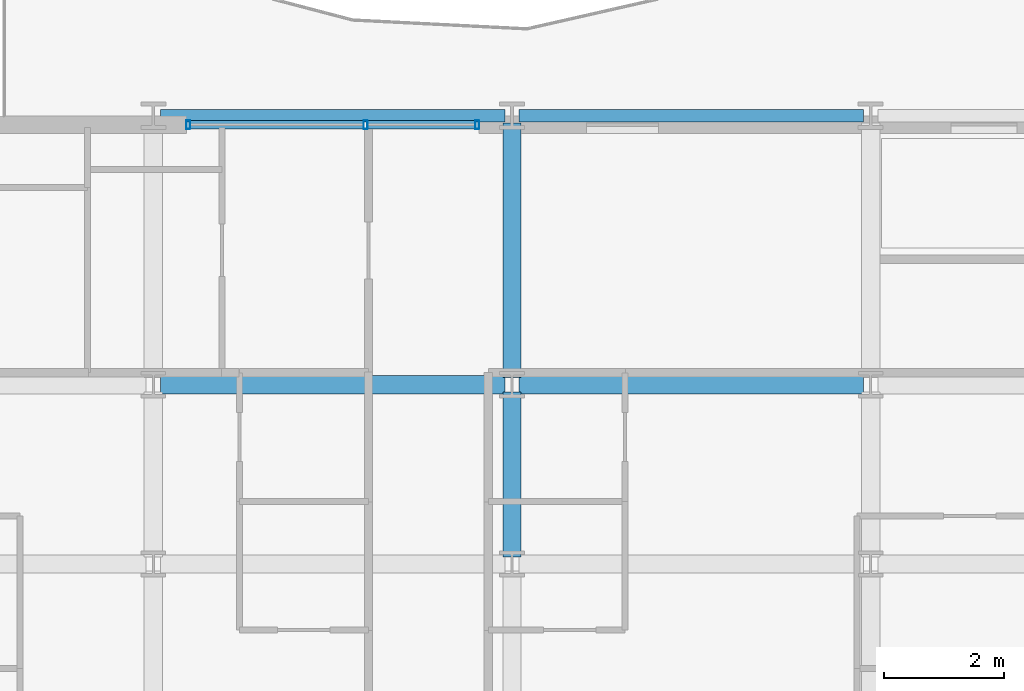
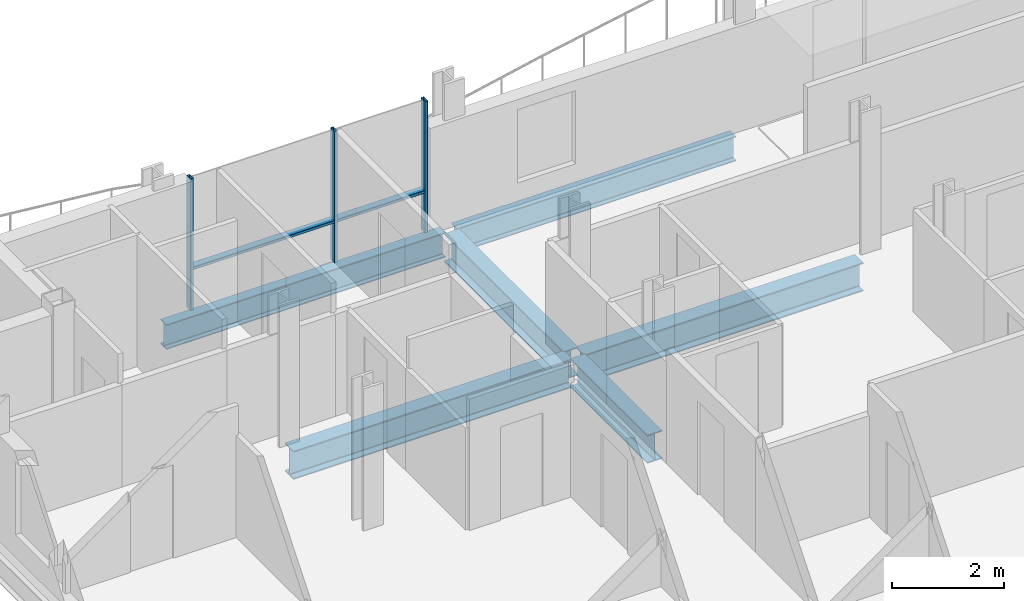
# One storey, part 7 of 39: 6 beams, 5 members, 1 element without a shape of its own.
"""IFC4 building model written with IfcOpenShell, lengths in metres."""

from ifc_helpers import new_model, si_unit, direction, frame, origin, origin_2d, place, context, subcontext, project, spatial, hollow_rectangle, i_section, extrude, material, layer, layer_set, material_profile, profile_set, type_object, element, aggregate, save


model = new_model("IFC4")

# Units and contexts
model_context = context("Model", 3, precision=1e-05, world=origin(), true_north=direction((0.0, 1.0)))
body_context = subcontext(model_context, "Body", "Model", "MODEL_VIEW")
ifc_project = project(units=[si_unit("LENGTHUNIT", "METRE"), si_unit("AREAUNIT", "SQUARE_METRE"), si_unit("VOLUMEUNIT", "CUBIC_METRE"), si_unit("PLANEANGLEUNIT", "RADIAN"), si_unit("MASSUNIT", "GRAM", prefix="KILO")], contexts=[model_context])

# Site, building, storey
site_placement = place(None, origin())
site = spatial("IfcSite", under=ifc_project, at=site_placement, CompositionType="ELEMENT")
building_placement = place(site_placement, origin())
building = spatial("IfcBuilding", under=site, at=building_placement, Name="Brevholm Reach", CompositionType="ELEMENT")
storey_placement = place(building_placement, frame((0.0, 0.0, 77.60009765625)))
storey = spatial("IfcBuildingStorey", under=building, at=storey_placement, Name="L22", CompositionType="ELEMENT", Elevation=77.60009765625)

# Beams
ifc_material_1 = material(Name="Structural Steel S355J2", Category="steel")
ifc_material_profile_1 = material_profile(ifc_material_1, i_section(OverallWidth=0.210693359375, OverallDepth=0.53955078125, WebThickness=0.01171875, FlangeThickness=0.018798828125, FilletRadius=0.0126953125, at=origin_2d()), Name="UKB 533x210x109")
ifc_profile_set_1 = profile_set([ifc_material_profile_1], Name="Structural Steel S355J2")
beam_type_1 = type_object("IfcBeamType", Name="BM-SP539", PredefinedType="SPANDREL", material=ifc_profile_set_1)
for number, where, z_axis, x_axis, name in (
    (1, (6.1201171875, 31.0, -0.499755859375), (1.0, 0.0, 0.0), (0.0, 1.0, 0.0), "L22 SP-01B Framing Beam"),
    (2, (12.1201171875, 31.0, -0.499755859375), (1.0, 0.0, 0.0), (0.0, 1.0, 0.0), "L22 SP-01B Framing Beam"),
):
    element("IfcBeam", number, at=place(storey_placement, frame(where, z_axis=z_axis, x_axis=x_axis)), inside=storey, type_object=beam_type_1, Name=name, PredefinedType="SPANDREL", context=body_context, shape_type="SweptSolid", body=[
        extrude(i_section(OverallWidth=0.210693359375, OverallDepth=0.53955078125, WebThickness=0.01171875, FlangeThickness=0.018798828125, FilletRadius=0.0126953125, at=origin_2d()), origin(), (0.0, 0.0, 1.0), 5.759765625),
    ])
ifc_material_2 = material(Name="Structural Steel S355J2", Category="steel")
ifc_material_profile_2 = material_profile(ifc_material_2, i_section(OverallWidth=0.30712890625, OverallDepth=0.6201171875, WebThickness=0.01416015625, FlangeThickness=0.023681640625, FilletRadius=0.0166015625, at=origin_2d()), Name="UKB 610x305x179")
ifc_profile_set_2 = profile_set([ifc_material_profile_2], Name="Structural Steel S355J2")
beam_type_2 = type_object("IfcBeamType", Name="BM-UKB610H", PredefinedType="USERDEFINED", material=ifc_profile_set_2)
for number, where, z_axis, x_axis, name in (
    (3, (6.1201171875, 26.5, -0.540283203125), (1.0, 0.0, 0.0), (0.0, 1.0, 0.0), "L22 G-06 Framing Beam"),
    (4, (12.1201171875, 26.5, -0.540283203125), (1.0, 0.0, 0.0), (0.0, 1.0, 0.0), "L22 G-06 Framing Beam"),
):
    element("IfcBeam", number, at=place(storey_placement, frame(where, z_axis=z_axis, x_axis=x_axis)), inside=storey, type_object=beam_type_2, Name=name, ObjectType="GIRDER", PredefinedType="USERDEFINED", context=body_context, shape_type="SweptSolid", body=[
        extrude(i_section(OverallWidth=0.30712890625, OverallDepth=0.6201171875, WebThickness=0.01416015625, FlangeThickness=0.023681640625, FilletRadius=0.0166015625, at=origin_2d()), origin(), (0.0, 0.0, 1.0), 5.759765625),
    ])
beam_1_placement = place(storey_placement, frame((12.0, 23.6201171875, -0.540283203125), z_axis=(0.0, 1.0, 0.0), x_axis=(-1.0, 0.0, 0.0)))
element("IfcBeam", 5, at=beam_1_placement, inside=storey, type_object=beam_type_2, Name="L22 G-06 Framing Beam", ObjectType="GIRDER", PredefinedType="USERDEFINED", context=body_context, shape_type="SweptSolid", body=[
    extrude(i_section(OverallWidth=0.30712890625, OverallDepth=0.6201171875, WebThickness=0.01416015625, FlangeThickness=0.023681640625, FilletRadius=0.0166015625, at=origin_2d()), origin(), (0.0, 0.0, 1.0), 2.759765625),
])
beam_2_placement = place(storey_placement, frame((12.0, 26.6201171875, -0.540283203125), z_axis=(0.0, 1.0, 0.0), x_axis=(-1.0, 0.0, 0.0)))
element("IfcBeam", 6, at=beam_2_placement, inside=storey, type_object=beam_type_2, Name="L22 G-06 Framing Beam", ObjectType="GIRDER", PredefinedType="USERDEFINED", context=body_context, shape_type="SweptSolid", body=[
    extrude(i_section(OverallWidth=0.30712890625, OverallDepth=0.6201171875, WebThickness=0.01416015625, FlangeThickness=0.023681640625, FilletRadius=0.0166015625, at=origin_2d()), origin(), (0.0, 0.0, 1.0), 4.259765625),
])

# Curtain wall, members
ifc_material_3 = material(Name="Dark Anodised Aluminium 6063-T6 and Solar-Control Glass", Category="aluminium")
ifc_layer = layer(ifc_material_3, 0.14990234375)
ifc_layer_set = layer_set([ifc_layer], Name="Dark Anodised Aluminium 6063-T6 and Solar-Control Glass")
curtain_wall_type = type_object("IfcCurtainWallType", Name="CW-01", PredefinedType="NOTDEFINED", material=ifc_layer_set)
curtain_wall_placement = place(storey_placement, origin())
curtain_wall = element("IfcCurtainWall", 7, at=curtain_wall_placement, inside=storey, type_object=curtain_wall_type, Name="L22 Curtain Wall CW-01", PredefinedType="NOTDEFINED")
ifc_material_4 = material(Name="Dark Anodised Aluminium 6063-T6", Category="aluminium")
ifc_material_profile_3 = material_profile(ifc_material_4, hollow_rectangle(XDim=0.06494140625, YDim=0.14990234375, WallThickness=0.0048828125, InnerFilletRadius=0.0048828125, OuterFilletRadius=0.010009765625, at=origin_2d()), Name="RHS 150x65x5")
ifc_profile_set_3 = profile_set([ifc_material_profile_3], Name="Dark Anodised Aluminium 6063-T6")
member_type_1 = type_object("IfcMemberType", Name="CWM-150", PredefinedType="MULLION", material=ifc_profile_set_3)
member_1_placement = place(storey_placement, frame((6.58251953125, 30.85009765625, 0.0), z_axis=(0.0, 0.0, 1.0), x_axis=(1.0, 0.0, 0.0)))
member_1 = element("IfcMember", 8, at=member_1_placement, type_object=member_type_1, Name="CM-150 Mullion 1", PredefinedType="MULLION", context=body_context, shape_type="SweptSolid", body=[
    extrude(hollow_rectangle(XDim=0.06494140625, YDim=0.14990234375, WallThickness=0.0048828125, InnerFilletRadius=0.0048828125, OuterFilletRadius=0.010009765625, at=origin_2d()), origin(), (0.0, 0.0, 1.0), 2.869873046875),
])
member_2_placement = place(storey_placement, frame((9.550048828125, 30.85009765625, 0.0), z_axis=(0.0, 0.0, 1.0), x_axis=(1.0, 0.0, 0.0)))
member_2 = element("IfcMember", 9, at=member_2_placement, type_object=member_type_1, Name="CM-150 Mullion 2", PredefinedType="MULLION", context=body_context, shape_type="SweptSolid", body=[
    extrude(hollow_rectangle(XDim=0.06494140625, YDim=0.14990234375, WallThickness=0.0048828125, InnerFilletRadius=0.0048828125, OuterFilletRadius=0.010009765625, at=origin_2d()), origin(), (0.0, 0.0, 1.0), 2.869873046875),
])
member_3_placement = place(storey_placement, frame((11.41748046875, 30.85009765625, 0.0), z_axis=(0.0, 0.0, 1.0), x_axis=(1.0, 0.0, 0.0)))
member_3 = element("IfcMember", 10, at=member_3_placement, type_object=member_type_1, Name="CM-150 Mullion 3", PredefinedType="MULLION", context=body_context, shape_type="SweptSolid", body=[
    extrude(hollow_rectangle(XDim=0.06494140625, YDim=0.14990234375, WallThickness=0.0048828125, InnerFilletRadius=0.0048828125, OuterFilletRadius=0.010009765625, at=origin_2d()), origin(), (0.0, 0.0, 1.0), 2.869873046875),
])
ifc_material_5 = material(Name="Dark Anodised Aluminium 6063-T6", Category="aluminium")
ifc_material_profile_4 = material_profile(ifc_material_5, hollow_rectangle(XDim=0.06494140625, YDim=0.14990234375, WallThickness=0.0048828125, InnerFilletRadius=0.0048828125, OuterFilletRadius=0.010009765625, at=origin_2d()), Name="RHS 150x65x5")
ifc_profile_set_4 = profile_set([ifc_material_profile_4], Name="Dark Anodised Aluminium 6063-T6")
member_type_2 = type_object("IfcMemberType", Name="CWT-150", PredefinedType="NOTDEFINED", material=ifc_profile_set_4)
member_4_placement = place(storey_placement, frame((6.614990234375, 30.85009765625, 0.89990234375), z_axis=(1.0, 0.0, 0.0), x_axis=(0.0, 0.0, 1.0)))
member_4 = element("IfcMember", 11, at=member_4_placement, type_object=member_type_2, Name="CT-150 Transom 1.1", ObjectType="TRANSOM", PredefinedType="USERDEFINED", context=body_context, shape_type="SweptSolid", body=[
    extrude(hollow_rectangle(XDim=0.06494140625, YDim=0.14990234375, WallThickness=0.0048828125, InnerFilletRadius=0.0048828125, OuterFilletRadius=0.010009765625, at=origin_2d()), origin(), (0.0, 0.0, 1.0), 2.902587890625),
])
member_5_placement = place(storey_placement, frame((9.58251953125, 30.85009765625, 0.89990234375), z_axis=(1.0, 0.0, 0.0), x_axis=(0.0, 0.0, 1.0)))
member_5 = element("IfcMember", 12, at=member_5_placement, type_object=member_type_2, Name="CT-150 Transom 2.1", ObjectType="TRANSOM", PredefinedType="USERDEFINED", context=body_context, shape_type="SweptSolid", body=[
    extrude(hollow_rectangle(XDim=0.06494140625, YDim=0.14990234375, WallThickness=0.0048828125, InnerFilletRadius=0.0048828125, OuterFilletRadius=0.010009765625, at=origin_2d()), origin(), (0.0, 0.0, 1.0), 1.802490234375),
])
aggregate(curtain_wall, [member_1, member_2, member_3, member_4, member_5])

save(model, "model.ifc")
